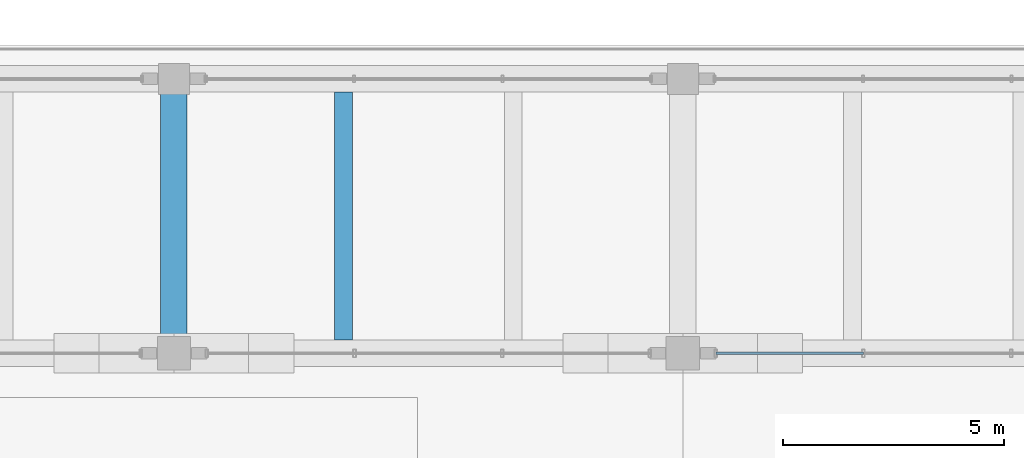
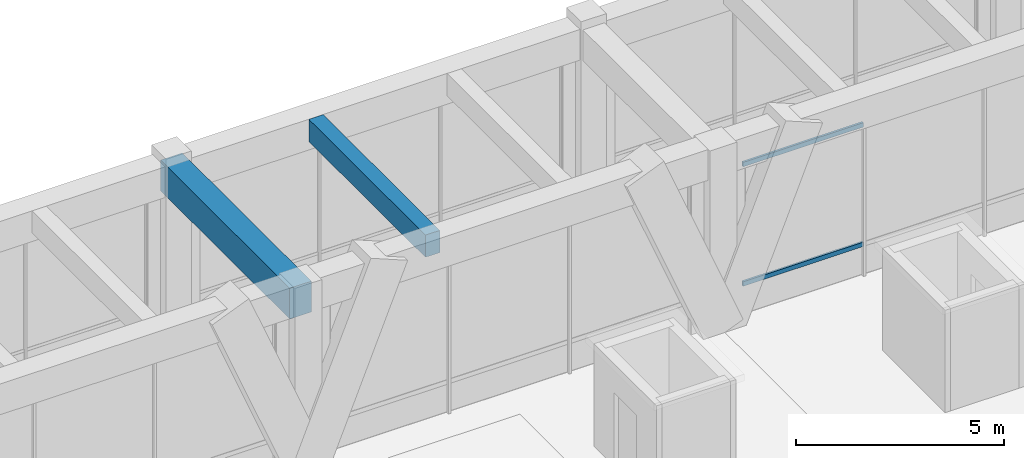
# One storey, part 64 of 148: 2 beams, 2 members, 1 element without a shape of its own.
"""IFC4 building model written with IfcOpenShell, lengths in metres."""

from ifc_helpers import new_model, si_unit, direction, frame, origin, origin_2d, place, context, subcontext, project, spatial, rectangle, hollow_rectangle, extrude, material, material_profile, profile_set, type_object, element, aggregate, save


model = new_model("IFC4")

# Units and contexts
model_context = context("Model", 3, precision=1e-05, world=origin(), true_north=direction((0.0, 1.0)))
body_context = subcontext(model_context, "Body", "Model", "MODEL_VIEW")
ifc_project = project(units=[si_unit("LENGTHUNIT", "METRE"), si_unit("AREAUNIT", "SQUARE_METRE"), si_unit("VOLUMEUNIT", "CUBIC_METRE"), si_unit("PLANEANGLEUNIT", "RADIAN"), si_unit("MASSUNIT", "GRAM", prefix="KILO")], contexts=[model_context])

# Site, building, storey
site_placement = place(None, origin())
site = spatial("IfcSite", under=ifc_project, at=site_placement, CompositionType="ELEMENT")
building_placement = place(site_placement, origin())
building = spatial("IfcBuilding", under=site, at=building_placement, Name="Ologun Quay Terminus", CompositionType="ELEMENT")
storey_placement = place(building_placement, frame((0.0, 0.0, 8.39990234375)))
storey = spatial("IfcBuildingStorey", under=building, at=storey_placement, Name="L02", CompositionType="ELEMENT", Elevation=8.39990234375)

# Curtain wall, members
ifc_material_1 = material(Name="Aluminium 6063-T6", Category="aluminium")
curtain_wall_type = type_object("IfcCurtainWallType", Name="Train Shed North Clerestory Curtain Wall 10700x4850", PredefinedType="USERDEFINED", material=ifc_material_1)
curtain_wall_placement = place(storey_placement, origin())
curtain_wall = element("IfcCurtainWall", 1, at=curtain_wall_placement, inside=storey, type_object=curtain_wall_type, Name="CW-09 Curtain Wall CW-L02-061", ObjectType="UNITISED CURTAIN WALL", PredefinedType="USERDEFINED")
ifc_material_2 = material(Name="Aluminium 6063-T6", Category="aluminium")
ifc_material_profile_1 = material_profile(ifc_material_2, hollow_rectangle(XDim=0.06005859375, YDim=0.1298828125, WallThickness=0.00390625, at=origin_2d()), Name="ALU 130x60x4")
ifc_profile_set_1 = profile_set([ifc_material_profile_1], Name="Aluminium 6063-T6")
member_type = type_object("IfcMemberType", Name="Concourse Clerestory Transom 130x60", PredefinedType="USERDEFINED", material=ifc_profile_set_1)
member_1_placement = place(storey_placement, frame((92.7451171875, 78.0, 0.900146484375), z_axis=(1.0, 0.0, 0.0), x_axis=(0.0, 1.0, 0.0)))
member_1 = element("IfcMember", 2, at=member_1_placement, type_object=member_type, Name="CW-L02-061 Transom B1-1", ObjectType="TRANSOM", PredefinedType="USERDEFINED", context=body_context, shape_type="SweptSolid", body=[
    extrude(hollow_rectangle(XDim=0.06005859375, YDim=0.1298828125, WallThickness=0.00390625, at=origin_2d()), origin(), (0.0, 0.0, 1.0), 3.336669921875),
])
member_2_placement = place(storey_placement, frame((92.7451171875, 78.0, 4.400146484375), z_axis=(1.0, 0.0, 0.0), x_axis=(0.0, 1.0, 0.0)))
member_2 = element("IfcMember", 3, at=member_2_placement, type_object=member_type, Name="CW-L02-061 Transom B1-2", ObjectType="TRANSOM", PredefinedType="USERDEFINED", context=body_context, shape_type="SweptSolid", body=[
    extrude(hollow_rectangle(XDim=0.06005859375, YDim=0.1298828125, WallThickness=0.00390625, at=origin_2d()), origin(), (0.0, 0.0, 1.0), 3.336669921875),
])
aggregate(curtain_wall, [member_1, member_2])

# Beams
ifc_material_3 = material(Name="Concrete C40/50", Category="concrete")
ifc_material_profile_2 = material_profile(ifc_material_3, rectangle(XDim=0.60009765625, YDim=0.89990234375, at=origin_2d()), Name="RC 600x900")
ifc_profile_set_2 = profile_set([ifc_material_profile_2], Name="Concrete C40/50")
beam_type_1 = type_object("IfcBeamType", Name="Station Frame Girder 600x900", PredefinedType="BEAM", material=ifc_profile_set_2)
beam_1_placement = place(storey_placement, frame((80.5, 78.0, 4.7001953125), z_axis=(0.0, 1.0, 0.0), x_axis=(-1.0, 0.0, 0.0)))
element("IfcBeam", 4, at=beam_1_placement, inside=storey, type_object=beam_type_1, Name="B3 Beam 8/F L02", PredefinedType="BEAM", context=body_context, shape_type="SweptSolid", body=[
    extrude(rectangle(XDim=0.60009765625, YDim=0.89990234375, at=origin_2d()), origin(), (0.0, 0.0, 1.0), 6.199951171875),
])
ifc_material_4 = material(Name="Concrete C40/50", Category="concrete")
ifc_material_profile_3 = material_profile(ifc_material_4, rectangle(XDim=0.39990234375, YDim=0.64990234375, at=origin_2d()), Name="RC 400x650")
ifc_profile_set_3 = profile_set([ifc_material_profile_3], Name="Concrete C40/50")
beam_type_2 = type_object("IfcBeamType", Name="Station Secondary Joist 400x650", PredefinedType="JOIST", material=ifc_profile_set_3)
beam_2_placement = place(storey_placement, frame((84.333251953125, 78.300048828125, 4.8251953125), z_axis=(0.0, 1.0, 0.0), x_axis=(-1.0, 0.0, 0.0)))
element("IfcBeam", 5, at=beam_2_placement, inside=storey, type_object=beam_type_2, Name="J1 Beam 8/F L02", PredefinedType="JOIST", context=body_context, shape_type="SweptSolid", body=[
    extrude(rectangle(XDim=0.39990234375, YDim=0.64990234375, at=origin_2d()), origin(), (0.0, 0.0, 1.0), 5.599853515625),
])

save(model, "model.ifc")
